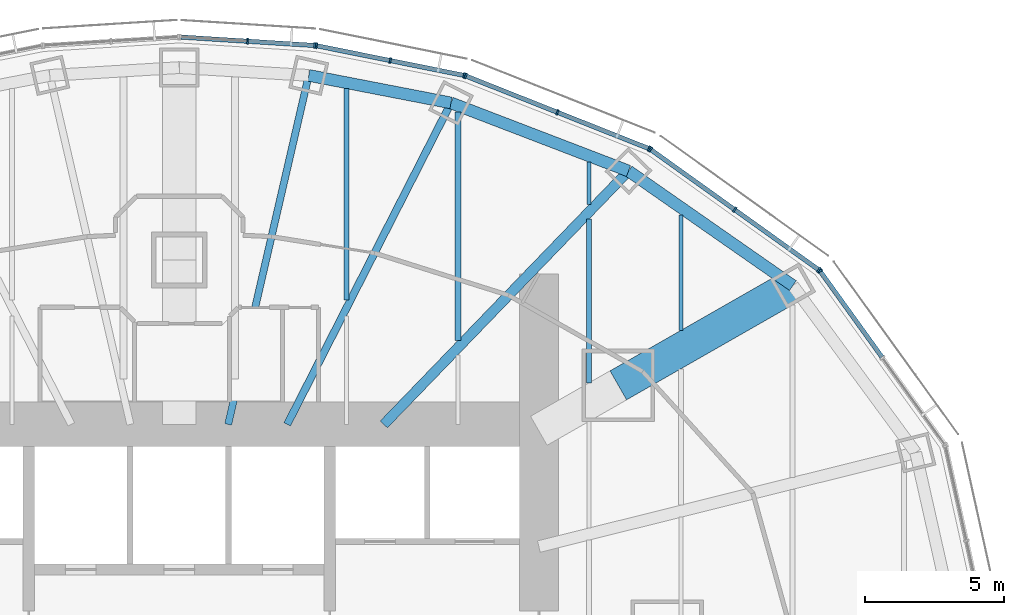
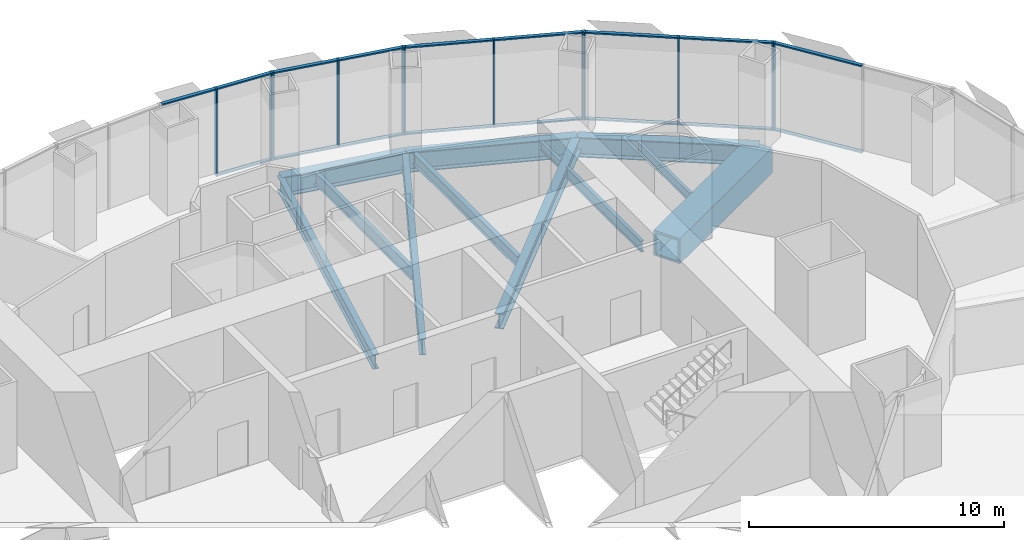
# One storey, part 8 of 17: 29 members, 12 beams, 5 elements without a shape of their own.
"""IFC4 building model written with IfcOpenShell, lengths in metres."""

from ifc_helpers import new_model, si_unit, direction, frame, origin, origin_2d, place, context, subcontext, project, spatial, rectangle, hollow_rectangle, i_section, extrude, material, material_profile, profile_set, type_object, element, aggregate, save


model = new_model("IFC4")

# Units and contexts
model_context = context("Model", 3, precision=1e-05, world=origin(), true_north=direction((0.0, 1.0)))
body_context = subcontext(model_context, "Body", "Model", "MODEL_VIEW")
ifc_project = project(units=[si_unit("LENGTHUNIT", "METRE"), si_unit("AREAUNIT", "SQUARE_METRE"), si_unit("VOLUMEUNIT", "CUBIC_METRE"), si_unit("PLANEANGLEUNIT", "RADIAN"), si_unit("MASSUNIT", "GRAM", prefix="KILO")], contexts=[model_context])

# Site, building, storey
site_placement = place(None, origin())
site = spatial("IfcSite", under=ifc_project, at=site_placement, CompositionType="ELEMENT")
building_placement = place(site_placement, origin())
building = spatial("IfcBuilding", under=site, at=building_placement, Name="Lantaw Convention Tower", CompositionType="ELEMENT")
storey_placement = place(building_placement, frame((0.0, 0.0, 117.39990234375)))
storey = spatial("IfcBuildingStorey", under=building, at=storey_placement, Name="L27", CompositionType="ELEMENT", Elevation=117.39990234375)

# Beams
ifc_material_1 = material(Name="Steel ASTM A992", Category="steel")
ifc_material_profile_1 = material_profile(ifc_material_1, i_section(OverallWidth=0.424072265625, OverallDepth=0.947509765625, WebThickness=0.02392578125, FlangeThickness=0.042724609375, FilletRadius=0.012451171875, at=origin_2d()), Name="W36X302")
ifc_profile_set_1 = profile_set([ifc_material_profile_1], Name="Steel ASTM A992")
beam_type_1 = type_object("IfcBeamType", Name="Beam BC W36X302", PredefinedType="SPANDREL", material=ifc_profile_set_1)
beam_1_placement = place(storey_placement, frame((22.013916015625, 12.579345703125, -0.62353515625), z_axis=(-0.820310765287, 0.57191804339, 0.0), x_axis=(-0.57191804339, -0.820310765287, 0.0)))
element("IfcBeam", 1, at=beam_1_placement, inside=storey, type_object=beam_type_1, Name="Belt truss chord 3", PredefinedType="SPANDREL", context=body_context, shape_type="SweptSolid", body=[
    extrude(i_section(OverallWidth=0.424072265625, OverallDepth=0.947509765625, WebThickness=0.02392578125, FlangeThickness=0.042724609375, FilletRadius=0.012451171875, at=origin_2d()), origin(), (0.0, 0.0, 1.0), 7.187744140625),
])
beam_2_placement = place(storey_placement, frame((16.11767578125, 16.690185546875, -0.62353515625), z_axis=(-0.933691081977, 0.358079549033, 0.0), x_axis=(-0.358079549033, -0.933691081977, 0.0)))
element("IfcBeam", 2, at=beam_2_placement, inside=storey, type_object=beam_type_1, Name="Belt truss chord 4", PredefinedType="SPANDREL", context=body_context, shape_type="SweptSolid", body=[
    extrude(i_section(OverallWidth=0.424072265625, OverallDepth=0.947509765625, WebThickness=0.02392578125, FlangeThickness=0.042724609375, FilletRadius=0.012451171875, at=origin_2d()), origin(), (0.0, 0.0, 1.0), 6.821533203125),
])
beam_3_placement = place(storey_placement, frame((9.74853515625, 19.1328125, -0.62353515625), z_axis=(-0.981796805654, 0.189934284446, 0.0), x_axis=(-0.189934284446, -0.981796805654, 0.0)))
element("IfcBeam", 3, at=beam_3_placement, inside=storey, type_object=beam_type_1, Name="Belt truss chord 5", PredefinedType="SPANDREL", context=body_context, shape_type="SweptSolid", body=[
    extrude(i_section(OverallWidth=0.424072265625, OverallDepth=0.947509765625, WebThickness=0.02392578125, FlangeThickness=0.042724609375, FilletRadius=0.012451171875, at=origin_2d()), origin(), (0.0, 0.0, 1.0), 5.1982421875),
])
ifc_material_2 = material(Name="Steel EN 10025-3 S460N", Category="steel")
ifc_material_profile_2 = material_profile(ifc_material_2, hollow_rectangle(XDim=1.199951171875, YDim=1.199951171875, WallThickness=0.10009765625, at=origin_2d()), Name="BOX1200X100")
ifc_profile_set_2 = profile_set([ifc_material_profile_2], Name="Steel EN 10025-3 S460N")
beam_type_2 = type_object("IfcBeamType", Name="Beam G BOX1200X100", PredefinedType="BEAM", material=ifc_profile_set_2)
beam_4_placement = place(storey_placement, frame((15.75, 9.0, -0.75), z_axis=(0.868245224608, 0.496135293993, 0.0), x_axis=(-0.496135293993, 0.868245224608, 0.0)))
element("IfcBeam", 4, at=beam_4_placement, inside=storey, type_object=beam_type_2, Name="Floor girder on ray 3", PredefinedType="BEAM", context=body_context, shape_type="SweptSolid", body=[
    extrude(hollow_rectangle(XDim=1.199951171875, YDim=1.199951171875, WallThickness=0.10009765625, at=origin_2d()), origin(), (0.0, 0.0, 1.0), 7.21435546875),
])
ifc_material_profile_3 = material_profile(ifc_material_1, i_section(OverallWidth=0.25390625, OverallDepth=0.700927734375, WebThickness=0.015380859375, FlangeThickness=0.02783203125, FilletRadius=0.01513671875, at=origin_2d()), Name="W27X129")
ifc_profile_set_3 = profile_set([ifc_material_profile_3], Name="Steel ASTM A992")
beam_type_3 = type_object("IfcBeamType", Name="Beam G W27X129", PredefinedType="BEAM", material=ifc_profile_set_3)
beam_5_placement = place(storey_placement, frame((1.754638671875, 7.60009765625, -0.50048828125), z_axis=(0.224944153104, 0.974371658036, 0.0), x_axis=(-0.974371658036, 0.224944153104, 0.0)))
element("IfcBeam", 5, at=beam_5_placement, inside=storey, type_object=beam_type_3, Name="Floor girder on ray 6", PredefinedType="BEAM", context=body_context, shape_type="SweptSolid", body=[
    extrude(i_section(OverallWidth=0.25390625, OverallDepth=0.700927734375, WebThickness=0.015380859375, FlangeThickness=0.02783203125, FilletRadius=0.01513671875, at=origin_2d()), origin(), (0.0, 0.0, 1.0), 12.849365234375),
])
ifc_material_profile_4 = material_profile(ifc_material_1, i_section(OverallWidth=0.360595703125, OverallDepth=0.72900390625, WebThickness=0.023193359375, FlangeThickness=0.041015625, FilletRadius=0.0126953125, at=origin_2d()), Name="W27X235")
ifc_profile_set_4 = profile_set([ifc_material_profile_4], Name="Steel ASTM A992")
beam_type_4 = type_object("IfcBeamType", Name="Beam G W27X235", PredefinedType="BEAM", material=ifc_profile_set_4)
beam_6_placement = place(storey_placement, frame((7.33935546875, 7.60009765625, -0.514404296875), z_axis=(0.694663467407, 0.719334878239, 0.0), x_axis=(-0.719334878239, 0.694663467407, 0.0)))
element("IfcBeam", 6, at=beam_6_placement, inside=storey, type_object=beam_type_4, Name="Floor girder on ray 4", PredefinedType="BEAM", context=body_context, shape_type="SweptSolid", body=[
    extrude(i_section(OverallWidth=0.360595703125, OverallDepth=0.72900390625, WebThickness=0.023193359375, FlangeThickness=0.041015625, FilletRadius=0.0126953125, at=origin_2d()), origin(), (0.0, 0.0, 1.0), 12.63671875),
])
ifc_material_profile_5 = material_profile(ifc_material_1, i_section(OverallWidth=0.2666015625, OverallDepth=0.76953125, WebThickness=0.015625, FlangeThickness=0.025390625, FilletRadius=0.0126953125, at=origin_2d()), Name="W30X132")
ifc_profile_set_5 = profile_set([ifc_material_profile_5], Name="Steel ASTM A992")
beam_type_5 = type_object("IfcBeamType", Name="Beam G W30X132", PredefinedType="BEAM", material=ifc_profile_set_5)
beam_7_placement = place(storey_placement, frame((3.872314453125, 7.60009765625, -0.53466796875), z_axis=(0.453991051051, 0.891006243281, 0.0), x_axis=(-0.891006243281, 0.453991051051, 0.0)))
element("IfcBeam", 7, at=beam_7_placement, inside=storey, type_object=beam_type_5, Name="Floor girder on ray 5", PredefinedType="BEAM", context=body_context, shape_type="SweptSolid", body=[
    extrude(i_section(OverallWidth=0.2666015625, OverallDepth=0.76953125, WebThickness=0.015625, FlangeThickness=0.025390625, FilletRadius=0.0126953125, at=origin_2d()), origin(), (0.0, 0.0, 1.0), 12.943359375),
])
ifc_material_profile_6 = material_profile(ifc_material_1, i_section(OverallWidth=0.140380859375, OverallDepth=0.40380859375, WebThickness=0.007080078125, FlangeThickness=0.01123046875, FilletRadius=0.01025390625, at=origin_2d()), Name="W16X31")
ifc_profile_set_6 = profile_set([ifc_material_profile_6], Name="Steel ASTM A992")
beam_type_6 = type_object("IfcBeamType", Name="Beam J W16X31", PredefinedType="JOIST", material=ifc_profile_set_6)
beam_8_placement = place(storey_placement, frame((14.699951171875, 15.48193359375, -0.351806640625), z_axis=(0.0, 1.0, 0.0), x_axis=(-1.0, 0.0, 0.0)))
element("IfcBeam", 8, at=beam_8_placement, inside=storey, type_object=beam_type_6, Name="Floor joist", PredefinedType="JOIST", context=body_context, shape_type="SweptSolid", body=[
    extrude(i_section(OverallWidth=0.140380859375, OverallDepth=0.40380859375, WebThickness=0.007080078125, FlangeThickness=0.01123046875, FilletRadius=0.01025390625, at=origin_2d()), origin(), (0.0, 0.0, 1.0), 1.52490234375),
])
ifc_material_profile_7 = material_profile(ifc_material_1, i_section(OverallWidth=0.15234375, OverallDepth=0.449462890625, WebThickness=0.007568359375, FlangeThickness=0.0107421875, FilletRadius=0.01025390625, at=origin_2d()), Name="W18X35")
ifc_profile_set_7 = profile_set([ifc_material_profile_7], Name="Steel ASTM A992")
beam_type_7 = type_object("IfcBeamType", Name="Beam J W18X35", PredefinedType="JOIST", material=ifc_profile_set_7)
beam_9_placement = place(storey_placement, frame((18.0, 10.976806640625, -0.374755859375), z_axis=(0.0, 1.0, 0.0), x_axis=(-1.0, 0.0, 0.0)))
element("IfcBeam", 9, at=beam_9_placement, inside=storey, type_object=beam_type_7, Name="Floor joist", PredefinedType="JOIST", context=body_context, shape_type="SweptSolid", body=[
    extrude(i_section(OverallWidth=0.15234375, OverallDepth=0.449462890625, WebThickness=0.007568359375, FlangeThickness=0.0107421875, FilletRadius=0.01025390625, at=origin_2d()), origin(), (0.0, 0.0, 1.0), 4.142578125),
])
ifc_material_profile_8 = material_profile(ifc_material_1, i_section(OverallWidth=0.1650390625, OverallDepth=0.52587890625, WebThickness=0.0087890625, FlangeThickness=0.011474609375, FilletRadius=0.0126953125, at=origin_2d()), Name="W21X44")
ifc_profile_set_8 = profile_set([ifc_material_profile_8], Name="Steel ASTM A992")
beam_type_8 = type_object("IfcBeamType", Name="Beam J W21X44", PredefinedType="JOIST", material=ifc_profile_set_8)
beam_10_placement = place(storey_placement, frame((14.699951171875, 9.091064453125, -0.412841796875), z_axis=(0.0, 1.0, 0.0), x_axis=(-1.0, 0.0, 0.0)))
element("IfcBeam", 10, at=beam_10_placement, inside=storey, type_object=beam_type_8, Name="Floor joist", PredefinedType="JOIST", context=body_context, shape_type="SweptSolid", body=[
    extrude(i_section(OverallWidth=0.1650390625, OverallDepth=0.52587890625, WebThickness=0.0087890625, FlangeThickness=0.011474609375, FilletRadius=0.0126953125, at=origin_2d()), origin(), (0.0, 0.0, 1.0), 5.87158203125),
])
ifc_material_profile_9 = material_profile(ifc_material_1, i_section(OverallWidth=0.2099609375, OverallDepth=0.535888671875, WebThickness=0.010986328125, FlangeThickness=0.017333984375, FilletRadius=0.012939453125, at=origin_2d()), Name="W21X68")
ifc_profile_set_9 = profile_set([ifc_material_profile_9], Name="Steel ASTM A992")
beam_type_9 = type_object("IfcBeamType", Name="Beam J W21X68", PredefinedType="JOIST", material=ifc_profile_set_9)
beam_11_placement = place(storey_placement, frame((10.0, 10.614990234375, -0.41796875), z_axis=(0.0, 1.0, 0.0), x_axis=(-1.0, 0.0, 0.0)))
element("IfcBeam", 11, at=beam_11_placement, inside=storey, type_object=beam_type_9, Name="Floor joist", PredefinedType="JOIST", context=body_context, shape_type="SweptSolid", body=[
    extrude(i_section(OverallWidth=0.2099609375, OverallDepth=0.535888671875, WebThickness=0.010986328125, FlangeThickness=0.017333984375, FilletRadius=0.012939453125, at=origin_2d()), origin(), (0.0, 0.0, 1.0), 8.194091796875),
])
ifc_material_profile_10 = material_profile(ifc_material_1, i_section(OverallWidth=0.177978515625, OverallDepth=0.599365234375, WebThickness=0.010009765625, FlangeThickness=0.012939453125, FilletRadius=0.012939453125, at=origin_2d()), Name="W24X55")
ifc_profile_set_10 = profile_set([ifc_material_profile_10], Name="Steel ASTM A992")
beam_type_10 = type_object("IfcBeamType", Name="Beam J W24X55", PredefinedType="JOIST", material=ifc_profile_set_10)
beam_12_placement = place(storey_placement, frame((6.0, 12.0693359375, -0.44970703125), z_axis=(0.0, 1.0, 0.0), x_axis=(-1.0, 0.0, 0.0)))
element("IfcBeam", 12, at=beam_12_placement, inside=storey, type_object=beam_type_10, Name="Floor joist", PredefinedType="JOIST", context=body_context, shape_type="SweptSolid", body=[
    extrude(i_section(OverallWidth=0.177978515625, OverallDepth=0.599365234375, WebThickness=0.010009765625, FlangeThickness=0.012939453125, FilletRadius=0.012939453125, at=origin_2d()), origin(), (0.0, 0.0, 1.0), 7.572509765625),
])

# Curtain wall, member
ifc_material_3 = material(Name="Aluminium framed curtain wall", Category="aluminium")
curtain_wall_type = type_object("IfcCurtainWallType", Name="Office curtain wall low rise, pale aluminium", PredefinedType="USERDEFINED", material=ifc_material_3)
curtain_wall_1_placement = place(storey_placement, origin())
curtain_wall_1 = element("IfcCurtainWall", 13, at=curtain_wall_1_placement, inside=storey, type_object=curtain_wall_type, Name="Office curtain wall low rise, pale aluminium L27", ObjectType="UNITISED CURTAIN WALL", PredefinedType="USERDEFINED")
ifc_material_4 = material(Name="Aluminium 6063-T6", Category="aluminium")
ifc_material_profile_11 = material_profile(ifc_material_4, rectangle(XDim=0.199951171875, YDim=0.06494140625, at=origin_2d()), Name="CW-O1 mullion 65x200")
ifc_profile_set_11 = profile_set([ifc_material_profile_11], Name="Aluminium 6063-T6")
member_type_1 = type_object("IfcMemberType", Name="CW-O1 mullion 65x200", PredefinedType="MULLION", material=ifc_profile_set_11)
member_1_placement = place(storey_placement, frame((22.988037109375, 13.098876953125, -0.14990234375), z_axis=(0.0, 0.0, 1.0), x_axis=(-0.811384633629, -0.584512597221, 0.0)))
member_1 = element("IfcMember", 14, at=member_1_placement, type_object=member_type_1, Name="CW-O1 mullion 3", PredefinedType="MULLION", context=body_context, shape_type="SweptSolid", body=[
    extrude(rectangle(XDim=0.199951171875, YDim=0.06494140625, at=origin_2d()), origin(), (0.0, 0.0, 1.0), 4.199951171875),
])

# Curtain wall, members
curtain_wall_2_placement = place(storey_placement, origin())
curtain_wall_2 = element("IfcCurtainWall", 15, at=curtain_wall_2_placement, inside=storey, type_object=curtain_wall_type, Name="Office curtain wall low rise, pale aluminium L27", ObjectType="UNITISED CURTAIN WALL", PredefinedType="USERDEFINED")
member_2_placement = place(storey_placement, frame((22.942626953125, 13.14404296875, -0.14990234375), z_axis=(0.0, 0.0, 1.0), x_axis=(-0.581972695693, -0.813208325995, 0.0)))
member_2 = element("IfcMember", 16, at=member_2_placement, type_object=member_type_1, Name="CW-O1 mullion 1", PredefinedType="MULLION", context=body_context, shape_type="SweptSolid", body=[
    extrude(rectangle(XDim=0.199951171875, YDim=0.06494140625, at=origin_2d()), origin(), (0.0, 0.0, 1.0), 4.199951171875),
])
member_3_placement = place(storey_placement, frame((19.92529296875, 15.303466796875, -0.14990234375), z_axis=(0.0, 0.0, 1.0), x_axis=(-0.581972695693, -0.813208325995, 0.0)))
member_3 = element("IfcMember", 17, at=member_3_placement, type_object=member_type_1, Name="CW-O1 mullion 2", PredefinedType="MULLION", context=body_context, shape_type="SweptSolid", body=[
    extrude(rectangle(XDim=0.199951171875, YDim=0.06494140625, at=origin_2d()), origin(), (0.0, 0.0, 1.0), 4.199951171875),
])
member_4_placement = place(storey_placement, frame((16.908203125, 17.462646484375, -0.14990234375), z_axis=(0.0, 0.0, 1.0), x_axis=(-0.581972695693, -0.813208325995, 0.0)))
member_4 = element("IfcMember", 18, at=member_4_placement, type_object=member_type_1, Name="CW-O1 mullion 3", PredefinedType="MULLION", context=body_context, shape_type="SweptSolid", body=[
    extrude(rectangle(XDim=0.199951171875, YDim=0.06494140625, at=origin_2d()), origin(), (0.0, 0.0, 1.0), 4.199951171875),
])

curtain_wall_3_placement = place(storey_placement, origin())
curtain_wall_3 = element("IfcCurtainWall", 19, at=curtain_wall_3_placement, inside=storey, type_object=curtain_wall_type, Name="Office curtain wall low rise, pale aluminium L27", ObjectType="UNITISED CURTAIN WALL", PredefinedType="USERDEFINED")
member_5_placement = place(storey_placement, frame((16.8515625, 17.49365234375, -0.14990234375), z_axis=(0.0, 0.0, 1.0), x_axis=(-0.368701907483, -0.929547687544, 0.0)))
member_5 = element("IfcMember", 20, at=member_5_placement, type_object=member_type_1, Name="CW-O1 mullion 1", PredefinedType="MULLION", context=body_context, shape_type="SweptSolid", body=[
    extrude(rectangle(XDim=0.199951171875, YDim=0.06494140625, at=origin_2d()), origin(), (0.0, 0.0, 1.0), 4.199951171875),
])
member_6_placement = place(storey_placement, frame((13.56494140625, 18.797119140625, -0.14990234375), z_axis=(0.0, 0.0, 1.0), x_axis=(-0.368701907483, -0.929547687544, 0.0)))
member_6 = element("IfcMember", 21, at=member_6_placement, type_object=member_type_1, Name="CW-O1 mullion 2", PredefinedType="MULLION", context=body_context, shape_type="SweptSolid", body=[
    extrude(rectangle(XDim=0.199951171875, YDim=0.06494140625, at=origin_2d()), origin(), (0.0, 0.0, 1.0), 4.199951171875),
])
member_7_placement = place(storey_placement, frame((10.2783203125, 20.100830078125, -0.14990234375), z_axis=(0.0, 0.0, 1.0), x_axis=(-0.368701907483, -0.929547687544, 0.0)))
member_7 = element("IfcMember", 22, at=member_7_placement, type_object=member_type_1, Name="CW-O1 mullion 3", PredefinedType="MULLION", context=body_context, shape_type="SweptSolid", body=[
    extrude(rectangle(XDim=0.199951171875, YDim=0.06494140625, at=origin_2d()), origin(), (0.0, 0.0, 1.0), 4.199951171875),
])

curtain_wall_4_placement = place(storey_placement, origin())
curtain_wall_4 = element("IfcCurtainWall", 23, at=curtain_wall_4_placement, inside=storey, type_object=curtain_wall_type, Name="Office curtain wall low rise, pale aluminium L27", ObjectType="UNITISED CURTAIN WALL", PredefinedType="USERDEFINED")
member_8_placement = place(storey_placement, frame((10.216064453125, 20.119140625, -0.14990234375), z_axis=(0.0, 0.0, 1.0), x_axis=(-0.197506809659, -0.980301514912, 0.0)))
member_8 = element("IfcMember", 24, at=member_8_placement, type_object=member_type_1, Name="CW-O1 mullion 1", PredefinedType="MULLION", context=body_context, shape_type="SweptSolid", body=[
    extrude(rectangle(XDim=0.199951171875, YDim=0.06494140625, at=origin_2d()), origin(), (0.0, 0.0, 1.0), 4.199951171875),
])
member_9_placement = place(storey_placement, frame((7.5703125, 20.65234375, -0.14990234375), z_axis=(0.0, 0.0, 1.0), x_axis=(-0.197506809659, -0.980301514912, 0.0)))
member_9 = element("IfcMember", 25, at=member_9_placement, type_object=member_type_1, Name="CW-O1 mullion 2", PredefinedType="MULLION", context=body_context, shape_type="SweptSolid", body=[
    extrude(rectangle(XDim=0.199951171875, YDim=0.06494140625, at=origin_2d()), origin(), (0.0, 0.0, 1.0), 4.199951171875),
])
member_10_placement = place(storey_placement, frame((4.92431640625, 21.185302734375, -0.14990234375), z_axis=(0.0, 0.0, 1.0), x_axis=(-0.197506809659, -0.980301514912, 0.0)))
member_10 = element("IfcMember", 26, at=member_10_placement, type_object=member_type_1, Name="CW-O1 mullion 3", PredefinedType="MULLION", context=body_context, shape_type="SweptSolid", body=[
    extrude(rectangle(XDim=0.199951171875, YDim=0.06494140625, at=origin_2d()), origin(), (0.0, 0.0, 1.0), 4.199951171875),
])

curtain_wall_5_placement = place(storey_placement, origin())
curtain_wall_5 = element("IfcCurtainWall", 27, at=curtain_wall_5_placement, inside=storey, type_object=curtain_wall_type, Name="Office curtain wall low rise, pale aluminium L27", ObjectType="UNITISED CURTAIN WALL", PredefinedType="USERDEFINED")
member_11_placement = place(storey_placement, frame((4.860107421875, 21.19384765625, -0.14990234375), z_axis=(0.0, 0.0, 1.0), x_axis=(-0.062865059466, -0.998022035978, 0.0)))
member_11 = element("IfcMember", 28, at=member_11_placement, type_object=member_type_1, Name="CW-O1 mullion 1", PredefinedType="MULLION", context=body_context, shape_type="SweptSolid", body=[
    extrude(rectangle(XDim=0.199951171875, YDim=0.06494140625, at=origin_2d()), origin(), (0.0, 0.0, 1.0), 4.199951171875),
])
member_12_placement = place(storey_placement, frame((2.4462890625, 21.345947265625, -0.14990234375), z_axis=(0.0, 0.0, 1.0), x_axis=(-0.062865059466, -0.998022035978, 0.0)))
member_12 = element("IfcMember", 29, at=member_12_placement, type_object=member_type_1, Name="CW-O1 mullion 2", PredefinedType="MULLION", context=body_context, shape_type="SweptSolid", body=[
    extrude(rectangle(XDim=0.199951171875, YDim=0.06494140625, at=origin_2d()), origin(), (0.0, 0.0, 1.0), 4.199951171875),
])

# Member
ifc_material_profile_12 = material_profile(ifc_material_4, rectangle(XDim=0.159912109375, YDim=0.06494140625, at=origin_2d()), Name="CW-O1 transom 65x160")
ifc_profile_set_12 = profile_set([ifc_material_profile_12], Name="Aluminium 6063-T6")
member_type_2 = type_object("IfcMemberType", Name="CW-O1 transom 65x160", PredefinedType="USERDEFINED", material=ifc_profile_set_12)
member_13_placement = place(storey_placement, frame((25.209228515625, 10.015625, -0.117431640625), z_axis=(-0.584512973979, 0.811384362217, 0.0), x_axis=(-0.811384362217, -0.584512973979, 0.0)))
member_13 = element("IfcMember", 30, at=member_13_placement, type_object=member_type_2, Name="CW-O1 transom 2.1", ObjectType="TRANSOM", PredefinedType="USERDEFINED", context=body_context, shape_type="SweptSolid", body=[
    extrude(rectangle(XDim=0.159912109375, YDim=0.06494140625, at=origin_2d()), origin(), (0.0, 0.0, 1.0), 3.767578125),
])

member_14_placement = place(storey_placement, frame((25.209228515625, 10.015625, 4.017578125), z_axis=(-0.584512973979, 0.811384362217, 0.0), x_axis=(-0.811384362217, -0.584512973979, 0.0)))
member_14 = element("IfcMember", 31, at=member_14_placement, type_object=member_type_2, Name="CW-O1 transom 2.2", ObjectType="TRANSOM", PredefinedType="USERDEFINED", context=body_context, shape_type="SweptSolid", body=[
    extrude(rectangle(XDim=0.159912109375, YDim=0.06494140625, at=origin_2d()), origin(), (0.0, 0.0, 1.0), 3.767578125),
])

aggregate(curtain_wall_1, [member_1, member_13, member_14])

member_15_placement = place(storey_placement, frame((22.916259765625, 13.1630859375, -0.117431640625), z_axis=(-0.813221785972, 0.581953887194, 0.0), x_axis=(-0.581953887194, -0.813221785972, 0.0)))
member_15 = element("IfcMember", 32, at=member_15_placement, type_object=member_type_2, Name="CW-O1 transom 1.1", ObjectType="TRANSOM", PredefinedType="USERDEFINED", context=body_context, shape_type="SweptSolid", body=[
    extrude(rectangle(XDim=0.159912109375, YDim=0.06494140625, at=origin_2d()), origin(), (0.0, 0.0, 1.0), 3.645263671875),
])

member_16_placement = place(storey_placement, frame((22.916259765625, 13.1630859375, 4.017578125), z_axis=(-0.813221785972, 0.581953887194, 0.0), x_axis=(-0.581953887194, -0.813221785972, 0.0)))
member_16 = element("IfcMember", 33, at=member_16_placement, type_object=member_type_2, Name="CW-O1 transom 1.2", ObjectType="TRANSOM", PredefinedType="USERDEFINED", context=body_context, shape_type="SweptSolid", body=[
    extrude(rectangle(XDim=0.159912109375, YDim=0.06494140625, at=origin_2d()), origin(), (0.0, 0.0, 1.0), 3.645263671875),
])

member_17_placement = place(storey_placement, frame((19.89892578125, 15.322265625, -0.117431640625), z_axis=(-0.813190089133, 0.581998177777, 0.0), x_axis=(-0.581998177777, -0.813190089133, 0.0)))
member_17 = element("IfcMember", 34, at=member_17_placement, type_object=member_type_2, Name="CW-O1 transom 2.1", ObjectType="TRANSOM", PredefinedType="USERDEFINED", context=body_context, shape_type="SweptSolid", body=[
    extrude(rectangle(XDim=0.159912109375, YDim=0.06494140625, at=origin_2d()), origin(), (0.0, 0.0, 1.0), 3.645263671875),
])

member_18_placement = place(storey_placement, frame((19.89892578125, 15.322265625, 4.017578125), z_axis=(-0.813190089133, 0.581998177777, 0.0), x_axis=(-0.581998177777, -0.813190089133, 0.0)))
member_18 = element("IfcMember", 35, at=member_18_placement, type_object=member_type_2, Name="CW-O1 transom 2.2", ObjectType="TRANSOM", PredefinedType="USERDEFINED", context=body_context, shape_type="SweptSolid", body=[
    extrude(rectangle(XDim=0.159912109375, YDim=0.06494140625, at=origin_2d()), origin(), (0.0, 0.0, 1.0), 3.645263671875),
])

aggregate(curtain_wall_2, [member_2, member_3, member_4, member_15, member_16, member_17, member_18])

member_19_placement = place(storey_placement, frame((16.8212890625, 17.505615234375, -0.117431640625), z_axis=(-0.929564188507, 0.368660303592, 0.0), x_axis=(-0.368660303592, -0.929564188507, 0.0)))
member_19 = element("IfcMember", 36, at=member_19_placement, type_object=member_type_2, Name="CW-O1 transom 1.1", ObjectType="TRANSOM", PredefinedType="USERDEFINED", context=body_context, shape_type="SweptSolid", body=[
    extrude(rectangle(XDim=0.159912109375, YDim=0.06494140625, at=origin_2d()), origin(), (0.0, 0.0, 1.0), 3.470703125),
])

member_20_placement = place(storey_placement, frame((16.8212890625, 17.505615234375, 4.017578125), z_axis=(-0.929564188507, 0.368660303592, 0.0), x_axis=(-0.368660303592, -0.929564188507, 0.0)))
member_20 = element("IfcMember", 37, at=member_20_placement, type_object=member_type_2, Name="CW-O1 transom 1.2", ObjectType="TRANSOM", PredefinedType="USERDEFINED", context=body_context, shape_type="SweptSolid", body=[
    extrude(rectangle(XDim=0.159912109375, YDim=0.06494140625, at=origin_2d()), origin(), (0.0, 0.0, 1.0), 3.470703125),
])

member_21_placement = place(storey_placement, frame((13.53466796875, 18.80908203125, -0.117431640625), z_axis=(-0.929540081544, 0.368721082668, 0.0), x_axis=(-0.368721082668, -0.929540081544, 0.0)))
member_21 = element("IfcMember", 38, at=member_21_placement, type_object=member_type_2, Name="CW-O1 transom 2.1", ObjectType="TRANSOM", PredefinedType="USERDEFINED", context=body_context, shape_type="SweptSolid", body=[
    extrude(rectangle(XDim=0.159912109375, YDim=0.06494140625, at=origin_2d()), origin(), (0.0, 0.0, 1.0), 3.470947265625),
])

member_22_placement = place(storey_placement, frame((13.53466796875, 18.80908203125, 4.017578125), z_axis=(-0.929540081544, 0.368721082668, 0.0), x_axis=(-0.368721082668, -0.929540081544, 0.0)))
member_22 = element("IfcMember", 39, at=member_22_placement, type_object=member_type_2, Name="CW-O1 transom 2.2", ObjectType="TRANSOM", PredefinedType="USERDEFINED", context=body_context, shape_type="SweptSolid", body=[
    extrude(rectangle(XDim=0.159912109375, YDim=0.06494140625, at=origin_2d()), origin(), (0.0, 0.0, 1.0), 3.470947265625),
])

aggregate(curtain_wall_3, [member_5, member_6, member_7, member_19, member_20, member_21, member_22])

member_23_placement = place(storey_placement, frame((10.184326171875, 20.125732421875, -0.117431640625), z_axis=(-0.980301643003, 0.197506173891, 0.0), x_axis=(-0.197506173891, -0.980301643003, 0.0)))
member_23 = element("IfcMember", 40, at=member_23_placement, type_object=member_type_2, Name="CW-O1 transom 1.1", ObjectType="TRANSOM", PredefinedType="USERDEFINED", context=body_context, shape_type="SweptSolid", body=[
    extrude(rectangle(XDim=0.159912109375, YDim=0.06494140625, at=origin_2d()), origin(), (0.0, 0.0, 1.0), 2.63427734375),
])

member_24_placement = place(storey_placement, frame((10.184326171875, 20.125732421875, 4.017578125), z_axis=(-0.980301643003, 0.197506173891, 0.0), x_axis=(-0.197506173891, -0.980301643003, 0.0)))
member_24 = element("IfcMember", 41, at=member_24_placement, type_object=member_type_2, Name="CW-O1 transom 1.2", ObjectType="TRANSOM", PredefinedType="USERDEFINED", context=body_context, shape_type="SweptSolid", body=[
    extrude(rectangle(XDim=0.159912109375, YDim=0.06494140625, at=origin_2d()), origin(), (0.0, 0.0, 1.0), 2.63427734375),
])

member_25_placement = place(storey_placement, frame((7.538330078125, 20.65869140625, -0.117431640625), z_axis=(-0.980298027092, 0.197524120247, 0.0), x_axis=(-0.197524120247, -0.980298027092, 0.0)))
member_25 = element("IfcMember", 42, at=member_25_placement, type_object=member_type_2, Name="CW-O1 transom 2.1", ObjectType="TRANSOM", PredefinedType="USERDEFINED", context=body_context, shape_type="SweptSolid", body=[
    extrude(rectangle(XDim=0.159912109375, YDim=0.06494140625, at=origin_2d()), origin(), (0.0, 0.0, 1.0), 2.634033203125),
])

member_26_placement = place(storey_placement, frame((7.538330078125, 20.65869140625, 4.017578125), z_axis=(-0.980298027092, 0.197524120247, 0.0), x_axis=(-0.197524120247, -0.980298027092, 0.0)))
member_26 = element("IfcMember", 43, at=member_26_placement, type_object=member_type_2, Name="CW-O1 transom 2.2", ObjectType="TRANSOM", PredefinedType="USERDEFINED", context=body_context, shape_type="SweptSolid", body=[
    extrude(rectangle(XDim=0.159912109375, YDim=0.06494140625, at=origin_2d()), origin(), (0.0, 0.0, 1.0), 2.634033203125),
])

aggregate(curtain_wall_4, [member_8, member_9, member_10, member_23, member_24, member_25, member_26])

member_27_placement = place(storey_placement, frame((4.82763671875, 21.19580078125, -0.117431640625), z_axis=(-0.998022188463, 0.062862638625, 0.0), x_axis=(-0.062862638625, -0.998022188463, 0.0)))
member_27 = element("IfcMember", 44, at=member_27_placement, type_object=member_type_2, Name="CW-O1 transom 1.1", ObjectType="TRANSOM", PredefinedType="USERDEFINED", context=body_context, shape_type="SweptSolid", body=[
    extrude(rectangle(XDim=0.159912109375, YDim=0.06494140625, at=origin_2d()), origin(), (0.0, 0.0, 1.0), 2.353515625),
])

member_28_placement = place(storey_placement, frame((4.82763671875, 21.19580078125, 4.017578125), z_axis=(-0.998022188463, 0.062862638625, 0.0), x_axis=(-0.062862638625, -0.998022188463, 0.0)))
member_28 = element("IfcMember", 45, at=member_28_placement, type_object=member_type_2, Name="CW-O1 transom 1.2", ObjectType="TRANSOM", PredefinedType="USERDEFINED", context=body_context, shape_type="SweptSolid", body=[
    extrude(rectangle(XDim=0.159912109375, YDim=0.06494140625, at=origin_2d()), origin(), (0.0, 0.0, 1.0), 2.353515625),
])

member_29_placement = place(storey_placement, frame((2.413818359375, 21.347900390625, 4.017578125), z_axis=(-0.998022188463, 0.062862638625, 0.0), x_axis=(-0.062862638625, -0.998022188463, 0.0)))
member_29 = element("IfcMember", 46, at=member_29_placement, type_object=member_type_2, Name="CW-O1 transom 2.2", ObjectType="TRANSOM", PredefinedType="USERDEFINED", context=body_context, shape_type="SweptSolid", body=[
    extrude(rectangle(XDim=0.159912109375, YDim=0.06494140625, at=origin_2d()), origin(), (0.0, 0.0, 1.0), 2.353515625),
])

aggregate(curtain_wall_5, [member_11, member_12, member_27, member_28, member_29])

save(model, "model.ifc")
